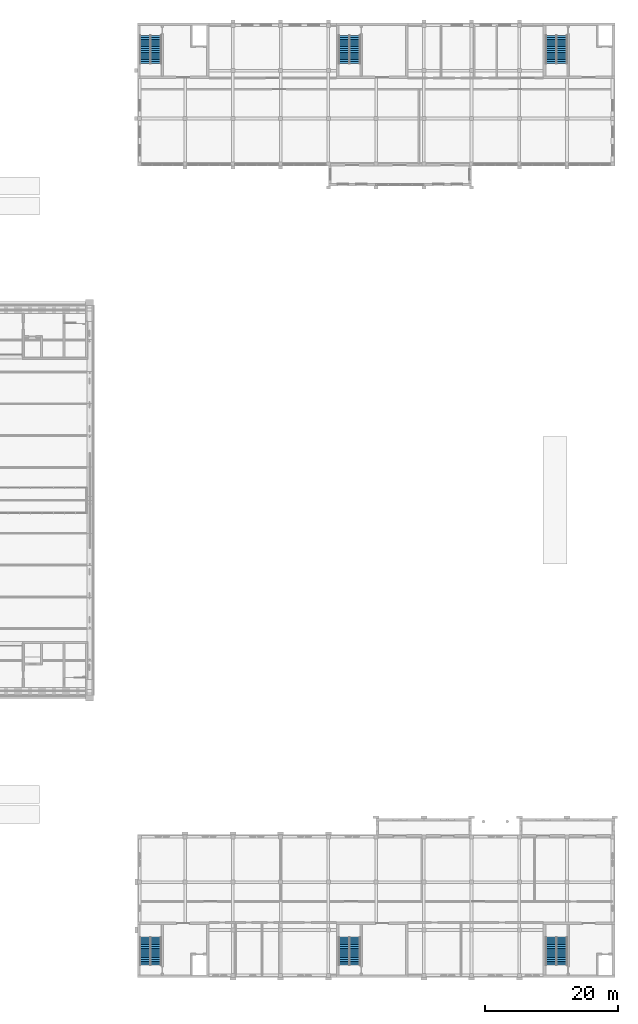
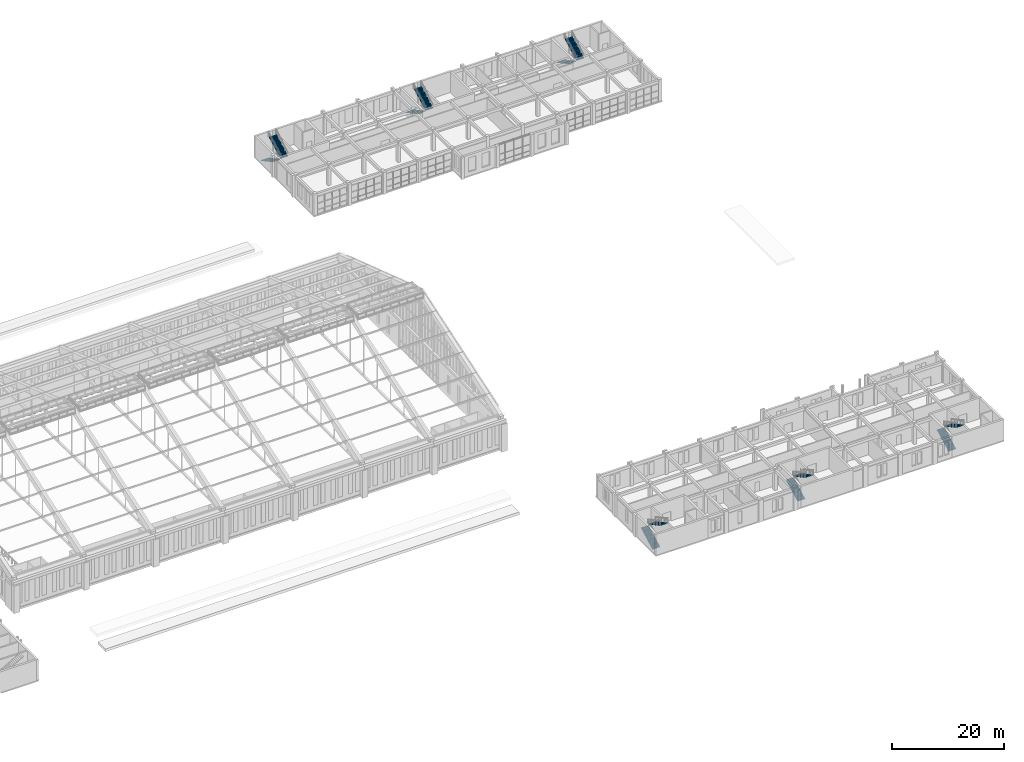
# One storey, part 144 of 149: 12 stair flights, 6 elements without a shape of their own.
"""IFC4 building model written with IfcOpenShell, lengths in metres."""

import ifcopenshell
import ifcopenshell.guid

model = None  # the IFC model being written
_history = None  # IfcOwnerHistory: only IFC2X3 demands one
_inside = {}  # id of a spatial element -> (the spatial element, [elements in it])
_under = {}  # id of a project, library or spatial element -> (it, [spatial elements below it])
_declared = {}  # id of a project -> (the project, [libraries it declares])
_typed = {}  # id of a type object -> (the type object, [elements of that type])
_made_of = {}  # id of a material, layer set ... -> (it, [elements and type objects made of it])


def new_model(schema):
    """Start an empty IFC model of exactly this schema.

    Asked for "IFC4X3", IfcOpenShell would pick the latest addendum, in which some entities
    have other attributes; the version numbers below select the first issue.
    IFC2X3 requires an IfcOwnerHistory on every rooted entity: one is made here for all.
    """
    global model, _history
    if schema == "IFC4X3":
        model = ifcopenshell.file(schema_version=(4, 3, 0, 0))
    else:
        model = ifcopenshell.file(schema=schema)
    _inside.clear()
    _under.clear()
    _declared.clear()
    _typed.clear()
    _made_of.clear()
    _history = None
    if model.schema == "IFC2X3":
        org = make("IfcOrganization", Name="unknown")
        user = make(
            "IfcPersonAndOrganization",
            ThePerson=make("IfcPerson", FamilyName="unknown"),
            TheOrganization=org,
        )
        app = make(
            "IfcApplication",
            ApplicationDeveloper=org,
            Version="unknown",
            ApplicationFullName="unknown",
            ApplicationIdentifier="unknown",
        )
        _history = make(
            "IfcOwnerHistory",
            OwningUser=user,
            OwningApplication=app,
            ChangeAction="ADDED",
            CreationDate=0,
        )
    return model


def make(cls, **values):
    """One entity of the class cls with the attributes given. An attribute that is None is left unset."""
    return model.create_entity(
        cls, **{name: value for name, value in values.items() if value is not None}
    )


def rooted(cls, **values):
    """An entity with a GlobalId (a new one), such as an element, a storey or a relation."""
    return make(cls, GlobalId=ifcopenshell.guid.new(), OwnerHistory=_history, **values)


def si_unit(unit_type, name, prefix=None):
    """IfcSIUnit, for example si_unit("LENGTHUNIT", "METRE", prefix="MILLI")."""
    return make("IfcSIUnit", UnitType=unit_type, Prefix=prefix, Name=name)


def assignment(units):
    """IfcUnitAssignment: the units of a project."""
    return None if units is None else make("IfcUnitAssignment", Units=units)


def point(xyz):
    """IfcCartesianPoint."""
    return None if xyz is None else make("IfcCartesianPoint", Coordinates=xyz)


def direction(xyz):
    """IfcDirection."""
    return None if xyz is None else make("IfcDirection", DirectionRatios=xyz)


def frame(location, z_axis=None, x_axis=None):
    """IfcAxis2Placement3D, a coordinate frame: its origin and axes. An axis left out is left unset."""
    return make(
        "IfcAxis2Placement3D",
        Location=point(location),
        Axis=direction(z_axis),
        RefDirection=direction(x_axis),
    )


def origin():
    """The frame at (0, 0, 0) with its axes left unset."""
    return frame((0.0, 0.0, 0.0))


def place(relative_to, where):
    """IfcLocalPlacement: puts the frame where relative to a parent placement (None: the world)."""
    return make(
        "IfcLocalPlacement", PlacementRelTo=relative_to, RelativePlacement=where
    )


def context(
    kind, dimensions, precision=None, world=None, true_north=None, identifier=None
):
    """IfcGeometricRepresentationContext, for example the 3D "Model" context."""
    return make(
        "IfcGeometricRepresentationContext",
        ContextIdentifier=identifier,
        ContextType=kind,
        CoordinateSpaceDimension=dimensions,
        Precision=precision,
        WorldCoordinateSystem=world,
        TrueNorth=true_north,
    )


def subcontext(parent, identifier, kind, view, scale=None):
    """IfcGeometricRepresentationSubContext, for example "Body" below "Model"."""
    return make(
        "IfcGeometricRepresentationSubContext",
        ContextIdentifier=identifier,
        ContextType=kind,
        ParentContext=parent,
        TargetScale=scale,
        TargetView=view,
    )


def project(units=None, contexts=None):
    """IfcProject with its units and contexts."""
    return rooted(
        "IfcProject",
        Name="project",
        RepresentationContexts=contexts,
        UnitsInContext=assignment(units),
    )


def spatial(cls, under=None, at=None, **own):
    """A site, building, storey or space (cls), placed at a placement, below another one or the project."""
    s = rooted(cls, ObjectPlacement=at, **own)
    if under is not None:
        _under.setdefault(under.id(), (under, []))[1].append(s)
    return s


def polyline(points):
    """IfcPolyline through the points."""
    return make("IfcPolyline", Points=[point(p) for p in points])


def outline(outer, holes=None, kind="AREA"):
    """IfcArbitraryClosedProfileDef: a profile drawn as a closed curve; with holes, ...WithVoids."""
    if holes is None:
        return make("IfcArbitraryClosedProfileDef", ProfileType=kind, OuterCurve=outer)
    return make(
        "IfcArbitraryProfileDefWithVoids",
        ProfileType=kind,
        OuterCurve=outer,
        InnerCurves=holes,
    )


def extrude(swept, where, along, depth):
    """IfcExtrudedAreaSolid: the profile swept, set in the frame where, extruded along a direction by depth."""
    return make(
        "IfcExtrudedAreaSolid",
        SweptArea=swept,
        Position=where,
        ExtrudedDirection=direction(along),
        Depth=depth,
    )


def shape(context_of_items, identifier, shape_type, items):
    """IfcShapeRepresentation: the items that make up one representation, for example the "Body"."""
    return make(
        "IfcShapeRepresentation",
        ContextOfItems=context_of_items,
        RepresentationIdentifier=identifier,
        RepresentationType=shape_type,
        Items=items,
    )


def material(Name=None, Category=None):
    """IfcMaterial."""
    return make("IfcMaterial", Name=Name, Category=Category)


def made_of(thing, what):
    """Note that an element or type object is made of a material, layer set ...; save() writes the relation."""
    if what is not None:
        _made_of.setdefault(what.id(), (what, []))[1].append(thing)
    return thing


def type_object(cls, material=None, **own):
    """A type object (cls), such as IfcWallType, which elements share."""
    return made_of(rooted(cls, **own), material)


def element(
    cls,
    number,
    at=None,
    inside=None,
    cuts=None,
    type_object=None,
    material=None,
    context=None,
    identifier="Body",
    shape_type=None,
    held_by="IfcProductDefinitionShape",
    body=None,
    shapes=None,
    **own,
):
    """One element of the class cls, such as IfcWall. Its Tag is "e" and its number.

    at: its placement. inside: the storey or other place that contains it. cuts: it is an
    opening in that element (IfcRelVoidsElement). A single representation is given by context,
    identifier, shape_type and body (its items); several are given by shapes. held_by: the class
    of the entity that holds the representations. save() writes the other relations.
    """
    e = rooted(cls, Tag="e%d" % number, ObjectPlacement=at, **own)
    if body is not None:
        shapes = [shape(context, identifier, shape_type, body)]
    if shapes is not None:
        e.Representation = make(held_by, Representations=shapes)
    if inside is not None:
        _inside.setdefault(inside.id(), (inside, []))[1].append(e)
    if cuts is not None:
        rooted(
            "IfcRelVoidsElement", RelatingBuildingElement=cuts, RelatedOpeningElement=e
        )
    if type_object is not None:
        _typed.setdefault(type_object.id(), (type_object, []))[1].append(e)
    return made_of(e, material)


def aggregate(whole, parts):
    """IfcRelAggregates: a whole, such as a stair, and the parts it consists of."""
    return rooted("IfcRelAggregates", RelatingObject=whole, RelatedObjects=parts)


def save(model, path):
    """Write the relations noted so far, then the file.

    IfcRelAggregates (storeys below a building ...), IfcRelContainedInSpatialStructure (elements
    in a storey), IfcRelDefinesByType, IfcRelAssociatesMaterial and IfcRelDeclares: one each for
    every whole, place, type object, material and project.
    """
    for whole, parts in _under.values():
        aggregate(whole, parts)
    for where, things in _inside.values():
        rooted(
            "IfcRelContainedInSpatialStructure",
            RelatedElements=things,
            RelatingStructure=where,
        )
    for kind, things in _typed.values():
        rooted("IfcRelDefinesByType", RelatedObjects=things, RelatingType=kind)
    for what, things in _made_of.values():
        rooted("IfcRelAssociatesMaterial", RelatedObjects=things, RelatingMaterial=what)
    for by, libraries in _declared.values():
        rooted("IfcRelDeclares", RelatingContext=by, RelatedDefinitions=libraries)
    model.write(path)


model = new_model("IFC4")

# Units and contexts
model_context = context("Model", 3, precision=1e-05, world=origin(), true_north=direction((0.0, 1.0)))
body_context = subcontext(model_context, "Body", "Model", "MODEL_VIEW")
ifc_project = project(units=[si_unit("LENGTHUNIT", "METRE"), si_unit("AREAUNIT", "SQUARE_METRE"), si_unit("VOLUMEUNIT", "CUBIC_METRE"), si_unit("PLANEANGLEUNIT", "RADIAN"), si_unit("MASSUNIT", "GRAM", prefix="KILO")], contexts=[model_context])

# Site, building, storey
site_placement = place(None, origin())
site = spatial("IfcSite", under=ifc_project, at=site_placement, CompositionType="ELEMENT")
building_placement = place(site_placement, origin())
building = spatial("IfcBuilding", under=site, at=building_placement, Name="Alderwick Market Hall", CompositionType="ELEMENT")
storey_placement = place(building_placement, frame((0.0, 0.0, 9.60009765625)))
storey = spatial("IfcBuildingStorey", under=building, at=storey_placement, Name="L01", CompositionType="ELEMENT", Elevation=9.60009765625)

# Stair, stair flights
ifc_material = material(Name="Concrete 5000 psi (f'c 35 MPa)", Category="concrete")
stair_type_1 = type_object("IfcStairType", Name="C Exit Stair 1600", PredefinedType="HALF_TURN_STAIR", material=ifc_material)
stair_1_placement = place(storey_placement, origin())
stair_1 = element("IfcStair", 1, at=stair_1_placement, inside=storey, type_object=stair_type_1, Name="C.stair.L01.A", PredefinedType="HALF_TURN_STAIR")
stair_flight_type_1 = type_object("IfcStairFlightType", Name="C Stair Flight 1600", PredefinedType="STRAIGHT", material=ifc_material)
stair_flight_1_placement = place(storey_placement, frame((159.60009765625, 9.10009765625, 0.0), z_axis=(0.0, 0.0, 1.0), x_axis=(0.0, 1.0, 0.0)))
stair_flight_1 = element("IfcStairFlight", 2, at=stair_flight_1_placement, type_object=stair_flight_type_1, Name="C-ST-A-L01 flight 1", NumberOfRisers=16, NumberOfTreads=15, PredefinedType="STRAIGHT", RiserHeight=0.15, TreadLength=0.28, context=body_context, shape_type="SweptSolid", body=[
    extrude(outline(polyline([(0.00830078125, -0.015625), (0.0, 0.0), (0.0, 0.14990234375), (0.280029296875, 0.14990234375), (0.280029296875, 0.300048828125), (0.56005859375, 0.300048828125), (0.56005859375, 0.449951171875), (0.840087890625, 0.449951171875), (0.840087890625, 0.60009765625), (1.1201171875, 0.60009765625), (1.1201171875, 0.75), (1.39990234375, 0.75), (1.39990234375, 0.89990234375), (1.679931640625, 0.89990234375), (1.679931640625, 1.050048828125), (1.9599609375, 1.050048828125), (1.9599609375, 1.199951171875), (2.239990234375, 1.199951171875), (2.239990234375, 1.35009765625), (2.52001953125, 1.35009765625), (2.52001953125, 1.5), (2.800048828125, 1.5), (2.800048828125, 1.64990234375), (3.080078125, 1.64990234375), (3.080078125, 1.800048828125), (3.360107421875, 1.800048828125), (3.360107421875, 1.949951171875), (3.639892578125, 1.949951171875), (3.639892578125, 2.10009765625), (3.919921875, 2.10009765625), (3.919921875, 2.25), (4.199951171875, 2.25), (4.199951171875, 2.22998046875), (0.00830078125, -0.015625)])), frame((0.0, 0.800048828125, 0.0), z_axis=(0.0, -1.0, 0.0), x_axis=(1.0, 0.0, 0.0)), (0.0, 0.0, 1.0), 1.60009765625),
])
stair_flight_2_placement = place(storey_placement, frame((161.199951171875, 13.300048828125, 2.39990234375), z_axis=(0.0, 0.0, 1.0), x_axis=(0.0, -1.0, 0.0)))
stair_flight_2 = element("IfcStairFlight", 3, at=stair_flight_2_placement, type_object=stair_flight_type_1, Name="C-ST-A-L01 flight 2", NumberOfRisers=16, NumberOfTreads=15, PredefinedType="STRAIGHT", RiserHeight=0.15, TreadLength=0.28, context=body_context, shape_type="SweptSolid", body=[
    extrude(outline(polyline([(0.00830078125, -0.015625), (0.0, 0.0), (0.0, 0.14990234375), (0.280029296875, 0.14990234375), (0.280029296875, 0.300048828125), (0.56005859375, 0.300048828125), (0.56005859375, 0.449951171875), (0.840087890625, 0.449951171875), (0.840087890625, 0.60009765625), (1.1201171875, 0.60009765625), (1.1201171875, 0.75), (1.39990234375, 0.75), (1.39990234375, 0.89990234375), (1.679931640625, 0.89990234375), (1.679931640625, 1.050048828125), (1.9599609375, 1.050048828125), (1.9599609375, 1.199951171875), (2.239990234375, 1.199951171875), (2.239990234375, 1.35009765625), (2.52001953125, 1.35009765625), (2.52001953125, 1.5), (2.800048828125, 1.5), (2.800048828125, 1.64990234375), (3.080078125, 1.64990234375), (3.080078125, 1.800048828125), (3.360107421875, 1.800048828125), (3.360107421875, 1.949951171875), (3.639892578125, 1.949951171875), (3.639892578125, 2.10009765625), (3.919921875, 2.10009765625), (3.919921875, 2.25), (4.199951171875, 2.25), (4.199951171875, 2.22998046875), (0.00830078125, -0.015625)])), frame((0.0, 0.800048828125, 0.0), z_axis=(0.0, -1.0, 0.0), x_axis=(1.0, 0.0, 0.0)), (0.0, 0.0, 1.0), 1.60009765625),
])
aggregate(stair_1, [stair_flight_1, stair_flight_2])

stair_2_placement = place(storey_placement, origin())
stair_2 = element("IfcStair", 4, at=stair_2_placement, inside=storey, type_object=stair_type_1, Name="C.stair.L01.B", PredefinedType="HALF_TURN_STAIR")
stair_flight_3_placement = place(storey_placement, frame((189.60009765625, 9.10009765625, 0.0), z_axis=(0.0, 0.0, 1.0), x_axis=(0.0, 1.0, 0.0)))
stair_flight_3 = element("IfcStairFlight", 5, at=stair_flight_3_placement, type_object=stair_flight_type_1, Name="C-ST-B-L01 flight 1", NumberOfRisers=16, NumberOfTreads=15, PredefinedType="STRAIGHT", RiserHeight=0.15, TreadLength=0.28, context=body_context, shape_type="SweptSolid", body=[
    extrude(outline(polyline([(0.00830078125, -0.015625), (0.0, 0.0), (0.0, 0.14990234375), (0.280029296875, 0.14990234375), (0.280029296875, 0.300048828125), (0.56005859375, 0.300048828125), (0.56005859375, 0.449951171875), (0.840087890625, 0.449951171875), (0.840087890625, 0.60009765625), (1.1201171875, 0.60009765625), (1.1201171875, 0.75), (1.39990234375, 0.75), (1.39990234375, 0.89990234375), (1.679931640625, 0.89990234375), (1.679931640625, 1.050048828125), (1.9599609375, 1.050048828125), (1.9599609375, 1.199951171875), (2.239990234375, 1.199951171875), (2.239990234375, 1.35009765625), (2.52001953125, 1.35009765625), (2.52001953125, 1.5), (2.800048828125, 1.5), (2.800048828125, 1.64990234375), (3.080078125, 1.64990234375), (3.080078125, 1.800048828125), (3.360107421875, 1.800048828125), (3.360107421875, 1.949951171875), (3.639892578125, 1.949951171875), (3.639892578125, 2.10009765625), (3.919921875, 2.10009765625), (3.919921875, 2.25), (4.199951171875, 2.25), (4.199951171875, 2.22998046875), (0.00830078125, -0.015625)])), frame((0.0, 0.800048828125, 0.0), z_axis=(0.0, -1.0, 0.0), x_axis=(1.0, 0.0, 0.0)), (0.0, 0.0, 1.0), 1.60009765625),
])
stair_flight_4_placement = place(storey_placement, frame((191.199951171875, 13.300048828125, 2.39990234375), z_axis=(0.0, 0.0, 1.0), x_axis=(0.0, -1.0, 0.0)))
stair_flight_4 = element("IfcStairFlight", 6, at=stair_flight_4_placement, type_object=stair_flight_type_1, Name="C-ST-B-L01 flight 2", NumberOfRisers=16, NumberOfTreads=15, PredefinedType="STRAIGHT", RiserHeight=0.15, TreadLength=0.28, context=body_context, shape_type="SweptSolid", body=[
    extrude(outline(polyline([(0.00830078125, -0.015625), (0.0, 0.0), (0.0, 0.14990234375), (0.280029296875, 0.14990234375), (0.280029296875, 0.300048828125), (0.56005859375, 0.300048828125), (0.56005859375, 0.449951171875), (0.840087890625, 0.449951171875), (0.840087890625, 0.60009765625), (1.1201171875, 0.60009765625), (1.1201171875, 0.75), (1.39990234375, 0.75), (1.39990234375, 0.89990234375), (1.679931640625, 0.89990234375), (1.679931640625, 1.050048828125), (1.9599609375, 1.050048828125), (1.9599609375, 1.199951171875), (2.239990234375, 1.199951171875), (2.239990234375, 1.35009765625), (2.52001953125, 1.35009765625), (2.52001953125, 1.5), (2.800048828125, 1.5), (2.800048828125, 1.64990234375), (3.080078125, 1.64990234375), (3.080078125, 1.800048828125), (3.360107421875, 1.800048828125), (3.360107421875, 1.949951171875), (3.639892578125, 1.949951171875), (3.639892578125, 2.10009765625), (3.919921875, 2.10009765625), (3.919921875, 2.25), (4.199951171875, 2.25), (4.199951171875, 2.22998046875), (0.00830078125, -0.015625)])), frame((0.0, 0.800048828125, 0.0), z_axis=(0.0, -1.0, 0.0), x_axis=(1.0, 0.0, 0.0)), (0.0, 0.0, 1.0), 1.60009765625),
])
aggregate(stair_2, [stair_flight_3, stair_flight_4])

stair_3_placement = place(storey_placement, origin())
stair_3 = element("IfcStair", 7, at=stair_3_placement, inside=storey, type_object=stair_type_1, Name="C.stair.L01.C", PredefinedType="HALF_TURN_STAIR")
stair_flight_5_placement = place(storey_placement, frame((220.800048828125, 9.10009765625, 0.0), z_axis=(0.0, 0.0, 1.0), x_axis=(0.0, 1.0, 0.0)))
stair_flight_5 = element("IfcStairFlight", 8, at=stair_flight_5_placement, type_object=stair_flight_type_1, Name="C-ST-C-L01 flight 1", NumberOfRisers=16, NumberOfTreads=15, PredefinedType="STRAIGHT", RiserHeight=0.15, TreadLength=0.28, context=body_context, shape_type="SweptSolid", body=[
    extrude(outline(polyline([(0.00830078125, -0.015625), (0.0, 0.0), (0.0, 0.14990234375), (0.280029296875, 0.14990234375), (0.280029296875, 0.300048828125), (0.56005859375, 0.300048828125), (0.56005859375, 0.449951171875), (0.840087890625, 0.449951171875), (0.840087890625, 0.60009765625), (1.1201171875, 0.60009765625), (1.1201171875, 0.75), (1.39990234375, 0.75), (1.39990234375, 0.89990234375), (1.679931640625, 0.89990234375), (1.679931640625, 1.050048828125), (1.9599609375, 1.050048828125), (1.9599609375, 1.199951171875), (2.239990234375, 1.199951171875), (2.239990234375, 1.35009765625), (2.52001953125, 1.35009765625), (2.52001953125, 1.5), (2.800048828125, 1.5), (2.800048828125, 1.64990234375), (3.080078125, 1.64990234375), (3.080078125, 1.800048828125), (3.360107421875, 1.800048828125), (3.360107421875, 1.949951171875), (3.639892578125, 1.949951171875), (3.639892578125, 2.10009765625), (3.919921875, 2.10009765625), (3.919921875, 2.25), (4.199951171875, 2.25), (4.199951171875, 2.22998046875), (0.00830078125, -0.015625)])), frame((0.0, 0.800048828125, 0.0), z_axis=(0.0, -1.0, 0.0), x_axis=(1.0, 0.0, 0.0)), (0.0, 0.0, 1.0), 1.60009765625),
])
stair_flight_6_placement = place(storey_placement, frame((222.39990234375, 13.300048828125, 2.39990234375), z_axis=(0.0, 0.0, 1.0), x_axis=(0.0, -1.0, 0.0)))
stair_flight_6 = element("IfcStairFlight", 9, at=stair_flight_6_placement, type_object=stair_flight_type_1, Name="C-ST-C-L01 flight 2", NumberOfRisers=16, NumberOfTreads=15, PredefinedType="STRAIGHT", RiserHeight=0.15, TreadLength=0.28, context=body_context, shape_type="SweptSolid", body=[
    extrude(outline(polyline([(0.00830078125, -0.015625), (0.0, 0.0), (0.0, 0.14990234375), (0.280029296875, 0.14990234375), (0.280029296875, 0.300048828125), (0.56005859375, 0.300048828125), (0.56005859375, 0.449951171875), (0.840087890625, 0.449951171875), (0.840087890625, 0.60009765625), (1.1201171875, 0.60009765625), (1.1201171875, 0.75), (1.39990234375, 0.75), (1.39990234375, 0.89990234375), (1.679931640625, 0.89990234375), (1.679931640625, 1.050048828125), (1.9599609375, 1.050048828125), (1.9599609375, 1.199951171875), (2.239990234375, 1.199951171875), (2.239990234375, 1.35009765625), (2.52001953125, 1.35009765625), (2.52001953125, 1.5), (2.800048828125, 1.5), (2.800048828125, 1.64990234375), (3.080078125, 1.64990234375), (3.080078125, 1.800048828125), (3.360107421875, 1.800048828125), (3.360107421875, 1.949951171875), (3.639892578125, 1.949951171875), (3.639892578125, 2.10009765625), (3.919921875, 2.10009765625), (3.919921875, 2.25), (4.199951171875, 2.25), (4.199951171875, 2.22998046875), (0.00830078125, -0.015625)])), frame((0.0, 0.800048828125, 0.0), z_axis=(0.0, -1.0, 0.0), x_axis=(1.0, 0.0, 0.0)), (0.0, 0.0, 1.0), 1.60009765625),
])
aggregate(stair_3, [stair_flight_5, stair_flight_6])

stair_type_2 = type_object("IfcStairType", Name="F Exit Stair 1600", PredefinedType="HALF_TURN_STAIR", material=ifc_material)
stair_4_placement = place(storey_placement, origin())
stair_4 = element("IfcStair", 10, at=stair_4_placement, inside=storey, type_object=stair_type_2, Name="F.stair.L01.A", PredefinedType="HALF_TURN_STAIR")
stair_flight_type_2 = type_object("IfcStairFlightType", Name="F Stair Flight 1600", PredefinedType="STRAIGHT", material=ifc_material)
stair_flight_7_placement = place(storey_placement, frame((159.60009765625, 149.300048828125, 0.0), z_axis=(0.0, 0.0, 1.0), x_axis=(0.0, -1.0, 0.0)))
stair_flight_7 = element("IfcStairFlight", 11, at=stair_flight_7_placement, type_object=stair_flight_type_2, Name="F-ST-A-L01 flight 1", NumberOfRisers=16, NumberOfTreads=15, PredefinedType="STRAIGHT", RiserHeight=0.15, TreadLength=0.28, context=body_context, shape_type="SweptSolid", body=[
    extrude(outline(polyline([(0.00830078125, -0.015625), (0.0, 0.0), (0.0, 0.14990234375), (0.280029296875, 0.14990234375), (0.280029296875, 0.300048828125), (0.56005859375, 0.300048828125), (0.56005859375, 0.449951171875), (0.840087890625, 0.449951171875), (0.840087890625, 0.60009765625), (1.1201171875, 0.60009765625), (1.1201171875, 0.75), (1.39990234375, 0.75), (1.39990234375, 0.89990234375), (1.679931640625, 0.89990234375), (1.679931640625, 1.050048828125), (1.9599609375, 1.050048828125), (1.9599609375, 1.199951171875), (2.239990234375, 1.199951171875), (2.239990234375, 1.35009765625), (2.52001953125, 1.35009765625), (2.52001953125, 1.5), (2.800048828125, 1.5), (2.800048828125, 1.64990234375), (3.080078125, 1.64990234375), (3.080078125, 1.800048828125), (3.360107421875, 1.800048828125), (3.360107421875, 1.949951171875), (3.639892578125, 1.949951171875), (3.639892578125, 2.10009765625), (3.919921875, 2.10009765625), (3.919921875, 2.25), (4.199951171875, 2.25), (4.199951171875, 2.22998046875), (0.00830078125, -0.015625)])), frame((0.0, 0.800048828125, 0.0), z_axis=(0.0, -1.0, 0.0), x_axis=(1.0, 0.0, 0.0)), (0.0, 0.0, 1.0), 1.60009765625),
])
stair_flight_8_placement = place(storey_placement, frame((161.199951171875, 145.10009765625, 2.39990234375), z_axis=(0.0, 0.0, 1.0), x_axis=(0.0, 1.0, 0.0)))
stair_flight_8 = element("IfcStairFlight", 12, at=stair_flight_8_placement, type_object=stair_flight_type_2, Name="F-ST-A-L01 flight 2", NumberOfRisers=16, NumberOfTreads=15, PredefinedType="STRAIGHT", RiserHeight=0.15, TreadLength=0.28, context=body_context, shape_type="SweptSolid", body=[
    extrude(outline(polyline([(0.00830078125, -0.015625), (0.0, 0.0), (0.0, 0.14990234375), (0.280029296875, 0.14990234375), (0.280029296875, 0.300048828125), (0.56005859375, 0.300048828125), (0.56005859375, 0.449951171875), (0.840087890625, 0.449951171875), (0.840087890625, 0.60009765625), (1.1201171875, 0.60009765625), (1.1201171875, 0.75), (1.39990234375, 0.75), (1.39990234375, 0.89990234375), (1.679931640625, 0.89990234375), (1.679931640625, 1.050048828125), (1.9599609375, 1.050048828125), (1.9599609375, 1.199951171875), (2.239990234375, 1.199951171875), (2.239990234375, 1.35009765625), (2.52001953125, 1.35009765625), (2.52001953125, 1.5), (2.800048828125, 1.5), (2.800048828125, 1.64990234375), (3.080078125, 1.64990234375), (3.080078125, 1.800048828125), (3.360107421875, 1.800048828125), (3.360107421875, 1.949951171875), (3.639892578125, 1.949951171875), (3.639892578125, 2.10009765625), (3.919921875, 2.10009765625), (3.919921875, 2.25), (4.199951171875, 2.25), (4.199951171875, 2.22998046875), (0.00830078125, -0.015625)])), frame((0.0, 0.800048828125, 0.0), z_axis=(0.0, -1.0, 0.0), x_axis=(1.0, 0.0, 0.0)), (0.0, 0.0, 1.0), 1.60009765625),
])
aggregate(stair_4, [stair_flight_7, stair_flight_8])

stair_5_placement = place(storey_placement, origin())
stair_5 = element("IfcStair", 13, at=stair_5_placement, inside=storey, type_object=stair_type_2, Name="F.stair.L01.B", PredefinedType="HALF_TURN_STAIR")
stair_flight_9_placement = place(storey_placement, frame((189.60009765625, 149.300048828125, 0.0), z_axis=(0.0, 0.0, 1.0), x_axis=(0.0, -1.0, 0.0)))
stair_flight_9 = element("IfcStairFlight", 14, at=stair_flight_9_placement, type_object=stair_flight_type_2, Name="F-ST-B-L01 flight 1", NumberOfRisers=16, NumberOfTreads=15, PredefinedType="STRAIGHT", RiserHeight=0.15, TreadLength=0.28, context=body_context, shape_type="SweptSolid", body=[
    extrude(outline(polyline([(0.00830078125, -0.015625), (0.0, 0.0), (0.0, 0.14990234375), (0.280029296875, 0.14990234375), (0.280029296875, 0.300048828125), (0.56005859375, 0.300048828125), (0.56005859375, 0.449951171875), (0.840087890625, 0.449951171875), (0.840087890625, 0.60009765625), (1.1201171875, 0.60009765625), (1.1201171875, 0.75), (1.39990234375, 0.75), (1.39990234375, 0.89990234375), (1.679931640625, 0.89990234375), (1.679931640625, 1.050048828125), (1.9599609375, 1.050048828125), (1.9599609375, 1.199951171875), (2.239990234375, 1.199951171875), (2.239990234375, 1.35009765625), (2.52001953125, 1.35009765625), (2.52001953125, 1.5), (2.800048828125, 1.5), (2.800048828125, 1.64990234375), (3.080078125, 1.64990234375), (3.080078125, 1.800048828125), (3.360107421875, 1.800048828125), (3.360107421875, 1.949951171875), (3.639892578125, 1.949951171875), (3.639892578125, 2.10009765625), (3.919921875, 2.10009765625), (3.919921875, 2.25), (4.199951171875, 2.25), (4.199951171875, 2.22998046875), (0.00830078125, -0.015625)])), frame((0.0, 0.800048828125, 0.0), z_axis=(0.0, -1.0, 0.0), x_axis=(1.0, 0.0, 0.0)), (0.0, 0.0, 1.0), 1.60009765625),
])
stair_flight_10_placement = place(storey_placement, frame((191.199951171875, 145.10009765625, 2.39990234375), z_axis=(0.0, 0.0, 1.0), x_axis=(0.0, 1.0, 0.0)))
stair_flight_10 = element("IfcStairFlight", 15, at=stair_flight_10_placement, type_object=stair_flight_type_2, Name="F-ST-B-L01 flight 2", NumberOfRisers=16, NumberOfTreads=15, PredefinedType="STRAIGHT", RiserHeight=0.15, TreadLength=0.28, context=body_context, shape_type="SweptSolid", body=[
    extrude(outline(polyline([(0.00830078125, -0.015625), (0.0, 0.0), (0.0, 0.14990234375), (0.280029296875, 0.14990234375), (0.280029296875, 0.300048828125), (0.56005859375, 0.300048828125), (0.56005859375, 0.449951171875), (0.840087890625, 0.449951171875), (0.840087890625, 0.60009765625), (1.1201171875, 0.60009765625), (1.1201171875, 0.75), (1.39990234375, 0.75), (1.39990234375, 0.89990234375), (1.679931640625, 0.89990234375), (1.679931640625, 1.050048828125), (1.9599609375, 1.050048828125), (1.9599609375, 1.199951171875), (2.239990234375, 1.199951171875), (2.239990234375, 1.35009765625), (2.52001953125, 1.35009765625), (2.52001953125, 1.5), (2.800048828125, 1.5), (2.800048828125, 1.64990234375), (3.080078125, 1.64990234375), (3.080078125, 1.800048828125), (3.360107421875, 1.800048828125), (3.360107421875, 1.949951171875), (3.639892578125, 1.949951171875), (3.639892578125, 2.10009765625), (3.919921875, 2.10009765625), (3.919921875, 2.25), (4.199951171875, 2.25), (4.199951171875, 2.22998046875), (0.00830078125, -0.015625)])), frame((0.0, 0.800048828125, 0.0), z_axis=(0.0, -1.0, 0.0), x_axis=(1.0, 0.0, 0.0)), (0.0, 0.0, 1.0), 1.60009765625),
])
aggregate(stair_5, [stair_flight_9, stair_flight_10])

stair_6_placement = place(storey_placement, origin())
stair_6 = element("IfcStair", 16, at=stair_6_placement, inside=storey, type_object=stair_type_2, Name="F.stair.L01.C", PredefinedType="HALF_TURN_STAIR")
stair_flight_11_placement = place(storey_placement, frame((220.800048828125, 149.300048828125, 0.0), z_axis=(0.0, 0.0, 1.0), x_axis=(0.0, -1.0, 0.0)))
stair_flight_11 = element("IfcStairFlight", 17, at=stair_flight_11_placement, type_object=stair_flight_type_2, Name="F-ST-C-L01 flight 1", NumberOfRisers=16, NumberOfTreads=15, PredefinedType="STRAIGHT", RiserHeight=0.15, TreadLength=0.28, context=body_context, shape_type="SweptSolid", body=[
    extrude(outline(polyline([(0.00830078125, -0.015625), (0.0, 0.0), (0.0, 0.14990234375), (0.280029296875, 0.14990234375), (0.280029296875, 0.300048828125), (0.56005859375, 0.300048828125), (0.56005859375, 0.449951171875), (0.840087890625, 0.449951171875), (0.840087890625, 0.60009765625), (1.1201171875, 0.60009765625), (1.1201171875, 0.75), (1.39990234375, 0.75), (1.39990234375, 0.89990234375), (1.679931640625, 0.89990234375), (1.679931640625, 1.050048828125), (1.9599609375, 1.050048828125), (1.9599609375, 1.199951171875), (2.239990234375, 1.199951171875), (2.239990234375, 1.35009765625), (2.52001953125, 1.35009765625), (2.52001953125, 1.5), (2.800048828125, 1.5), (2.800048828125, 1.64990234375), (3.080078125, 1.64990234375), (3.080078125, 1.800048828125), (3.360107421875, 1.800048828125), (3.360107421875, 1.949951171875), (3.639892578125, 1.949951171875), (3.639892578125, 2.10009765625), (3.919921875, 2.10009765625), (3.919921875, 2.25), (4.199951171875, 2.25), (4.199951171875, 2.22998046875), (0.00830078125, -0.015625)])), frame((0.0, 0.800048828125, 0.0), z_axis=(0.0, -1.0, 0.0), x_axis=(1.0, 0.0, 0.0)), (0.0, 0.0, 1.0), 1.60009765625),
])
stair_flight_12_placement = place(storey_placement, frame((222.39990234375, 145.10009765625, 2.39990234375), z_axis=(0.0, 0.0, 1.0), x_axis=(0.0, 1.0, 0.0)))
stair_flight_12 = element("IfcStairFlight", 18, at=stair_flight_12_placement, type_object=stair_flight_type_2, Name="F-ST-C-L01 flight 2", NumberOfRisers=16, NumberOfTreads=15, PredefinedType="STRAIGHT", RiserHeight=0.15, TreadLength=0.28, context=body_context, shape_type="SweptSolid", body=[
    extrude(outline(polyline([(0.00830078125, -0.015625), (0.0, 0.0), (0.0, 0.14990234375), (0.280029296875, 0.14990234375), (0.280029296875, 0.300048828125), (0.56005859375, 0.300048828125), (0.56005859375, 0.449951171875), (0.840087890625, 0.449951171875), (0.840087890625, 0.60009765625), (1.1201171875, 0.60009765625), (1.1201171875, 0.75), (1.39990234375, 0.75), (1.39990234375, 0.89990234375), (1.679931640625, 0.89990234375), (1.679931640625, 1.050048828125), (1.9599609375, 1.050048828125), (1.9599609375, 1.199951171875), (2.239990234375, 1.199951171875), (2.239990234375, 1.35009765625), (2.52001953125, 1.35009765625), (2.52001953125, 1.5), (2.800048828125, 1.5), (2.800048828125, 1.64990234375), (3.080078125, 1.64990234375), (3.080078125, 1.800048828125), (3.360107421875, 1.800048828125), (3.360107421875, 1.949951171875), (3.639892578125, 1.949951171875), (3.639892578125, 2.10009765625), (3.919921875, 2.10009765625), (3.919921875, 2.25), (4.199951171875, 2.25), (4.199951171875, 2.22998046875), (0.00830078125, -0.015625)])), frame((0.0, 0.800048828125, 0.0), z_axis=(0.0, -1.0, 0.0), x_axis=(1.0, 0.0, 0.0)), (0.0, 0.0, 1.0), 1.60009765625),
])
aggregate(stair_6, [stair_flight_11, stair_flight_12])

save(model, "model.ifc")
